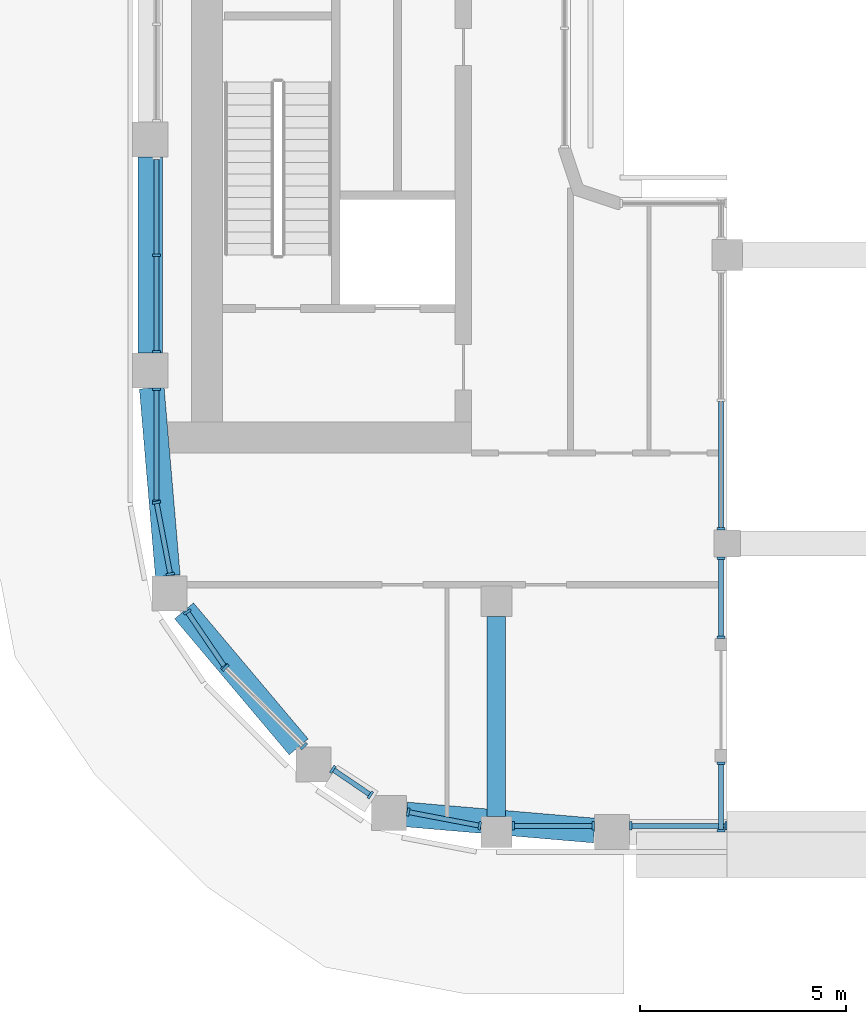
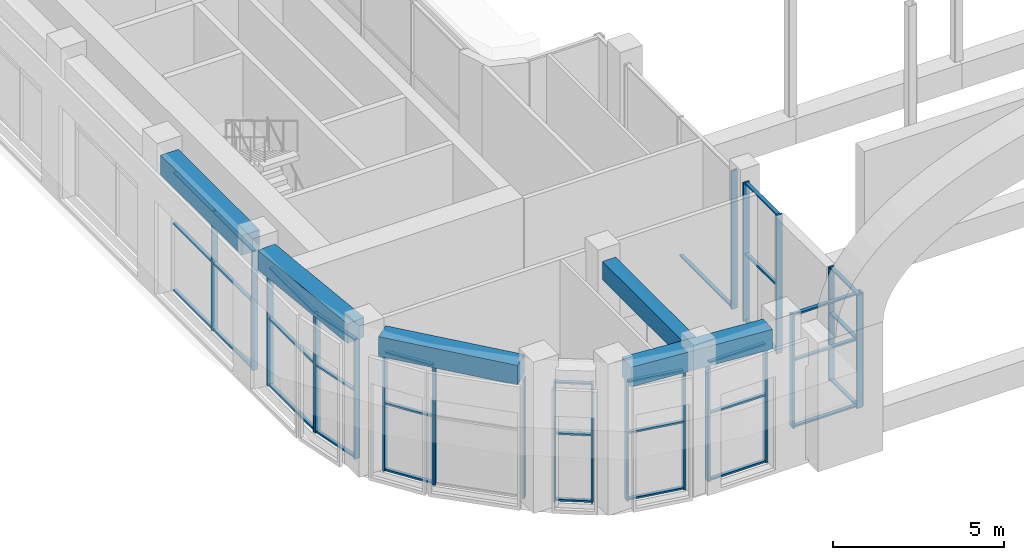
# One storey, part 2 of 26: 57 members, 5 beams, 12 elements without a shape of their own.
"""IFC4 building model written with IfcOpenShell, lengths in metres."""

from ifc_helpers import new_model, si_unit, direction, frame, origin, origin_2d, place, context, subcontext, project, spatial, rectangle, extrude, material, layer, layer_set, material_profile, profile_set, type_object, element, aggregate, save


model = new_model("IFC4")

# Units and contexts
model_context = context("Model", 3, precision=1e-05, world=origin(), true_north=direction((0.0, 1.0)))
body_context = subcontext(model_context, "Body", "Model", "MODEL_VIEW")
ifc_project = project(units=[si_unit("LENGTHUNIT", "METRE"), si_unit("AREAUNIT", "SQUARE_METRE"), si_unit("VOLUMEUNIT", "CUBIC_METRE"), si_unit("PLANEANGLEUNIT", "RADIAN"), si_unit("MASSUNIT", "GRAM", prefix="KILO")], contexts=[model_context])

# Site, building, storey
site_placement = place(None, origin())
site = spatial("IfcSite", under=ifc_project, at=site_placement, CompositionType="ELEMENT")
building_placement = place(site_placement, origin())
building = spatial("IfcBuilding", under=site, at=building_placement, Name="Kiln Ring Residences", CompositionType="ELEMENT")
storey_placement = place(building_placement, frame((0.0, 0.0, 230.89990234375)))
storey = spatial("IfcBuildingStorey", under=building, at=storey_placement, Name="L60", CompositionType="ELEMENT", Elevation=230.89990234375)

# Curtain wall, members
ifc_material_1 = material(Name="Aluminium and glass", Category="aluminium")
ifc_layer = layer(ifc_material_1, 0.199951171875)
ifc_layer_set = layer_set([ifc_layer], Name="CW1 CURTAIN WALL")
curtain_wall_type = type_object("IfcCurtainWallType", Name="CW1 CURTAIN WALL", PredefinedType="NOTDEFINED", material=ifc_layer_set)
placement = place(storey_placement, origin())
curtain_wall_1 = element("IfcCurtainWall", 1, at=placement, inside=storey, type_object=curtain_wall_type, Name="Curtain wall CW1 L60", PredefinedType="NOTDEFINED")
ifc_material_2 = material(Name="Aluminium 6063-T6", Category="aluminium")
ifc_material_profile_1 = material_profile(ifc_material_2, rectangle(XDim=0.199951171875, YDim=0.06005859375, at=origin_2d()), Name="AL 200x60")
ifc_profile_set_1 = profile_set([ifc_material_profile_1], Name="Aluminium 6063-T6")
member_type_1 = type_object("IfcMemberType", Name="CW1 MULLION 200 x 60", PredefinedType="MULLION", material=ifc_profile_set_1)
member_1_placement = place(storey_placement, frame((-25.047119140625, -14.4013671875, 0.0), z_axis=(0.0, 0.0, 1.0), x_axis=(0.982290257829, 0.187365550124, 0.0)))
member_1 = element("IfcMember", 2, at=member_1_placement, type_object=member_type_1, Name="CW1 mullion 1", PredefinedType="MULLION", context=body_context, shape_type="SweptSolid", body=[
    extrude(rectangle(XDim=0.199951171875, YDim=0.06005859375, at=origin_2d()), origin(), (0.0, 0.0, 1.0), 4.25),
])
member_2_placement = place(storey_placement, frame((-24.715087890625, -16.14111328125, 0.0), z_axis=(0.0, 0.0, 1.0), x_axis=(0.982290257829, 0.187365550124, 0.0)))
member_2 = element("IfcMember", 3, at=member_2_placement, type_object=member_type_1, Name="CW1 mullion 2", PredefinedType="MULLION", context=body_context, shape_type="SweptSolid", body=[
    extrude(rectangle(XDim=0.199951171875, YDim=0.06005859375, at=origin_2d()), origin(), (0.0, 0.0, 1.0), 4.25),
])

curtain_wall_2 = element("IfcCurtainWall", 4, at=placement, inside=storey, type_object=curtain_wall_type, Name="Curtain wall CW1 L60", PredefinedType="NOTDEFINED")
member_3_placement = place(storey_placement, frame((-24.29931640625, -17.05859375, 0.0), z_axis=(0.0, 0.0, 1.0), x_axis=(0.827071553674, 0.562096651033, 0.0)))
member_3 = element("IfcMember", 5, at=member_3_placement, type_object=member_type_1, Name="CW1 mullion 1", PredefinedType="MULLION", context=body_context, shape_type="SweptSolid", body=[
    extrude(rectangle(XDim=0.199951171875, YDim=0.06005859375, at=origin_2d()), origin(), (0.0, 0.0, 1.0), 4.25),
])
member_4_placement = place(storey_placement, frame((-23.395751953125, -18.387939453125, 0.0), z_axis=(0.0, 0.0, 1.0), x_axis=(0.827071553674, 0.562096651033, 0.0)))
member_4 = element("IfcMember", 6, at=member_4_placement, type_object=member_type_1, Name="CW1 mullion 2", PredefinedType="MULLION", context=body_context, shape_type="SweptSolid", body=[
    extrude(rectangle(XDim=0.199951171875, YDim=0.06005859375, at=origin_2d()), origin(), (0.0, 0.0, 1.0), 4.25),
])

curtain_wall_3 = element("IfcCurtainWall", 7, at=placement, inside=storey, type_object=curtain_wall_type, Name="Curtain wall CW1 L60", PredefinedType="NOTDEFINED")
member_5_placement = place(storey_placement, frame((-23.375732421875, -18.412109375, 0.0), z_axis=(0.0, 0.0, 1.0), x_axis=(0.707106781187, 0.707106781187, 0.0)))
member_5 = element("IfcMember", 8, at=member_5_placement, type_object=member_type_1, Name="CW1 mullion 1", PredefinedType="MULLION", context=body_context, shape_type="SweptSolid", body=[
    extrude(rectangle(XDim=0.199951171875, YDim=0.06005859375, at=origin_2d()), origin(), (0.0, 0.0, 1.0), 4.25),
])
member_6_placement = place(storey_placement, frame((-21.474365234375, -20.3134765625, 0.0), z_axis=(0.0, 0.0, 1.0), x_axis=(0.707106781187, 0.707106781187, 0.0)))
member_6 = element("IfcMember", 9, at=member_6_placement, type_object=member_type_1, Name="CW1 mullion 2", PredefinedType="MULLION", context=body_context, shape_type="SweptSolid", body=[
    extrude(rectangle(XDim=0.199951171875, YDim=0.06005859375, at=origin_2d()), origin(), (0.0, 0.0, 1.0), 4.25),
])
aggregate(curtain_wall_3, [member_5, member_6])

curtain_wall_4 = element("IfcCurtainWall", 10, at=placement, inside=storey, type_object=curtain_wall_type, Name="Curtain wall CW1 L60", PredefinedType="NOTDEFINED")
member_7_placement = place(storey_placement, frame((-20.77099609375, -20.879150390625, 0.0), z_axis=(0.0, 0.0, 1.0), x_axis=(0.562096650745, 0.82707155387, 0.0)))
member_7 = element("IfcMember", 11, at=member_7_placement, type_object=member_type_1, Name="CW1 mullion 1", PredefinedType="MULLION", context=body_context, shape_type="SweptSolid", body=[
    extrude(rectangle(XDim=0.199951171875, YDim=0.06005859375, at=origin_2d()), origin(), (0.0, 0.0, 1.0), 4.25),
])
member_8_placement = place(storey_placement, frame((-19.8583984375, -21.499267578125, 0.0), z_axis=(0.0, 0.0, 1.0), x_axis=(0.562096650745, 0.82707155387, 0.0)))
member_8 = element("IfcMember", 12, at=member_8_placement, type_object=member_type_1, Name="CW1 mullion 2", PredefinedType="MULLION", context=body_context, shape_type="SweptSolid", body=[
    extrude(rectangle(XDim=0.199951171875, YDim=0.06005859375, at=origin_2d()), origin(), (0.0, 0.0, 1.0), 4.25),
])

curtain_wall_5 = element("IfcCurtainWall", 13, at=placement, inside=storey, type_object=curtain_wall_type, Name="Curtain wall CW1 L60", PredefinedType="NOTDEFINED")
member_9_placement = place(storey_placement, frame((-18.941162109375, -21.915283203125, 0.0), z_axis=(0.0, 0.0, 1.0), x_axis=(0.18736555009, 0.982290257836, 0.0)))
member_9 = element("IfcMember", 14, at=member_9_placement, type_object=member_type_1, Name="CW1 mullion 1", PredefinedType="MULLION", context=body_context, shape_type="SweptSolid", body=[
    extrude(rectangle(XDim=0.199951171875, YDim=0.06005859375, at=origin_2d()), origin(), (0.0, 0.0, 1.0), 4.25),
])
member_10_placement = place(storey_placement, frame((-17.20458984375, -22.246337890625, 0.0), z_axis=(0.0, 0.0, 1.0), x_axis=(0.18736555009, 0.982290257836, 0.0)))
member_10 = element("IfcMember", 15, at=member_10_placement, type_object=member_type_1, Name="CW1 mullion 2", PredefinedType="MULLION", context=body_context, shape_type="SweptSolid", body=[
    extrude(rectangle(XDim=0.199951171875, YDim=0.06005859375, at=origin_2d()), origin(), (0.0, 0.0, 1.0), 4.25),
])

curtain_wall_6 = element("IfcCurtainWall", 16, at=placement, inside=storey, type_object=curtain_wall_type, Name="Curtain wall CW1 L60", PredefinedType="NOTDEFINED")
member_11_placement = place(storey_placement, frame((-16.39501953125, -22.25, 0.0), z_axis=(0.0, 0.0, 1.0), x_axis=(0.0, 1.0, 0.0)))
member_11 = element("IfcMember", 17, at=member_11_placement, type_object=member_type_1, Name="CW1 mullion 1", PredefinedType="MULLION", context=body_context, shape_type="SweptSolid", body=[
    extrude(rectangle(XDim=0.199951171875, YDim=0.06005859375, at=origin_2d()), origin(), (0.0, 0.0, 1.0), 4.25),
])
member_12_placement = place(storey_placement, frame((-14.455078125, -22.25, 0.0), z_axis=(0.0, 0.0, 1.0), x_axis=(0.0, 1.0, 0.0)))
member_12 = element("IfcMember", 18, at=member_12_placement, type_object=member_type_1, Name="CW1 mullion 2", PredefinedType="MULLION", context=body_context, shape_type="SweptSolid", body=[
    extrude(rectangle(XDim=0.199951171875, YDim=0.06005859375, at=origin_2d()), origin(), (0.0, 0.0, 1.0), 4.25),
])

curtain_wall_7 = element("IfcCurtainWall", 19, at=placement, inside=storey, type_object=curtain_wall_type, Name="Curtain wall CW1 L60", PredefinedType="NOTDEFINED")
member_13_placement = place(storey_placement, frame((-13.544921875, -22.25, 0.900146484375), z_axis=(0.0, 0.0, 1.0), x_axis=(0.0, 1.0, 0.0)))
member_13 = element("IfcMember", 20, at=member_13_placement, type_object=member_type_1, Name="CW1 mullion 1", PredefinedType="MULLION", context=body_context, shape_type="SweptSolid", body=[
    extrude(rectangle(XDim=0.199951171875, YDim=0.06005859375, at=origin_2d()), origin(), (0.0, 0.0, 1.0), 4.050048828125),
])
member_14_placement = place(storey_placement, frame((-11.22998046875, -22.25, 0.900146484375), z_axis=(0.0, 0.0, 1.0), x_axis=(0.0, 1.0, 0.0)))
member_14 = element("IfcMember", 21, at=member_14_placement, type_object=member_type_1, Name="CW1 mullion 2", PredefinedType="MULLION", context=body_context, shape_type="SweptSolid", body=[
    extrude(rectangle(XDim=0.199951171875, YDim=0.06005859375, at=origin_2d()), origin(), (0.0, 0.0, 1.0), 4.050048828125),
])

curtain_wall_8 = element("IfcCurtainWall", 22, at=placement, inside=storey, type_object=curtain_wall_type, Name="Curtain wall CW1 L60", PredefinedType="NOTDEFINED")
member_15_placement = place(storey_placement, frame((-11.35009765625, -22.3701171875, 0.900146484375), z_axis=(0.0, 0.0, 1.0), x_axis=(-1.0, 0.0, 0.0)))
member_15 = element("IfcMember", 23, at=member_15_placement, type_object=member_type_1, Name="CW1 mullion 1", PredefinedType="MULLION", context=body_context, shape_type="SweptSolid", body=[
    extrude(rectangle(XDim=0.199951171875, YDim=0.06005859375, at=origin_2d()), origin(), (0.0, 0.0, 1.0), 4.050048828125),
])
member_16_placement = place(storey_placement, frame((-11.35009765625, -20.72998046875, 0.900146484375), z_axis=(0.0, 0.0, 1.0), x_axis=(-1.0, 0.0, 0.0)))
member_16 = element("IfcMember", 24, at=member_16_placement, type_object=member_type_1, Name="CW1 mullion 2", PredefinedType="MULLION", context=body_context, shape_type="SweptSolid", body=[
    extrude(rectangle(XDim=0.199951171875, YDim=0.06005859375, at=origin_2d()), origin(), (0.0, 0.0, 1.0), 4.050048828125),
])

curtain_wall_9 = element("IfcCurtainWall", 25, at=placement, inside=storey, type_object=curtain_wall_type, Name="Curtain wall CW1 L60", PredefinedType="NOTDEFINED")
member_17_placement = place(storey_placement, frame((-11.35009765625, -17.669921875, 0.0), z_axis=(0.0, 0.0, 1.0), x_axis=(-1.0, 0.0, 0.0)))
member_17 = element("IfcMember", 26, at=member_17_placement, type_object=member_type_1, Name="CW1 mullion 1", PredefinedType="MULLION", context=body_context, shape_type="SweptSolid", body=[
    extrude(rectangle(XDim=0.199951171875, YDim=0.06005859375, at=origin_2d()), origin(), (0.0, 0.0, 1.0), 4.9501953125),
])
member_18_placement = place(storey_placement, frame((-11.35009765625, -15.7548828125, 0.0), z_axis=(0.0, 0.0, 1.0), x_axis=(-1.0, 0.0, 0.0)))
member_18 = element("IfcMember", 27, at=member_18_placement, type_object=member_type_1, Name="CW1 mullion 2", PredefinedType="MULLION", context=body_context, shape_type="SweptSolid", body=[
    extrude(rectangle(XDim=0.199951171875, YDim=0.06005859375, at=origin_2d()), origin(), (0.0, 0.0, 1.0), 4.9501953125),
])

# Curtain wall, member
curtain_wall_10 = element("IfcCurtainWall", 28, at=placement, inside=storey, type_object=curtain_wall_type, Name="Curtain wall CW1 L60", PredefinedType="NOTDEFINED")
member_19_placement = place(storey_placement, frame((-11.35009765625, -15.044921875, 0.0), z_axis=(0.0, 0.0, 1.0), x_axis=(-1.0, 0.0, 0.0)))
member_19 = element("IfcMember", 29, at=member_19_placement, type_object=member_type_1, Name="CW1 mullion 1", PredefinedType="MULLION", context=body_context, shape_type="SweptSolid", body=[
    extrude(rectangle(XDim=0.199951171875, YDim=0.06005859375, at=origin_2d()), origin(), (0.0, 0.0, 1.0), 4.9501953125),
])

# Curtain wall, members
curtain_wall_11 = element("IfcCurtainWall", 30, at=placement, inside=storey, type_object=curtain_wall_type, Name="Curtain wall CW1 L60", PredefinedType="NOTDEFINED")
member_20_placement = place(storey_placement, frame((-25.050048828125, -8.39990234375, 0.0), z_axis=(0.0, 0.0, 1.0), x_axis=(1.0, 0.0, 0.0)))
member_20 = element("IfcMember", 31, at=member_20_placement, type_object=member_type_1, Name="CW1 mullion 2", PredefinedType="MULLION", context=body_context, shape_type="SweptSolid", body=[
    extrude(rectangle(XDim=0.199951171875, YDim=0.06005859375, at=origin_2d()), origin(), (0.0, 0.0, 1.0), 4.25),
])
member_21_placement = place(storey_placement, frame((-25.050048828125, -10.7451171875, 0.0), z_axis=(0.0, 0.0, 1.0), x_axis=(1.0, 0.0, 0.0)))
member_21 = element("IfcMember", 32, at=member_21_placement, type_object=member_type_1, Name="CW1 mullion 3", PredefinedType="MULLION", context=body_context, shape_type="SweptSolid", body=[
    extrude(rectangle(XDim=0.199951171875, YDim=0.06005859375, at=origin_2d()), origin(), (0.0, 0.0, 1.0), 4.25),
])

curtain_wall_12 = element("IfcCurtainWall", 33, at=placement, inside=storey, type_object=curtain_wall_type, Name="Curtain wall CW1 L60", PredefinedType="NOTDEFINED")
member_22_placement = place(storey_placement, frame((-25.050048828125, -11.655029296875, 0.0), z_axis=(0.0, 0.0, 1.0), x_axis=(1.0, 0.0, 0.0)))
member_22 = element("IfcMember", 34, at=member_22_placement, type_object=member_type_1, Name="CW1 mullion 1", PredefinedType="MULLION", context=body_context, shape_type="SweptSolid", body=[
    extrude(rectangle(XDim=0.199951171875, YDim=0.06005859375, at=origin_2d()), origin(), (0.0, 0.0, 1.0), 4.25),
])
member_23_placement = place(storey_placement, frame((-25.050048828125, -14.3701171875, 0.0), z_axis=(0.0, 0.0, 1.0), x_axis=(1.0, 0.0, 0.0)))
member_23 = element("IfcMember", 35, at=member_23_placement, type_object=member_type_1, Name="CW1 mullion 2", PredefinedType="MULLION", context=body_context, shape_type="SweptSolid", body=[
    extrude(rectangle(XDim=0.199951171875, YDim=0.06005859375, at=origin_2d()), origin(), (0.0, 0.0, 1.0), 4.25),
])

# Member
ifc_material_3 = material(Name="Aluminium 6063-T6", Category="aluminium")
ifc_material_profile_2 = material_profile(ifc_material_3, rectangle(XDim=0.1201171875, YDim=0.06005859375, at=origin_2d()), Name="AL 120x60")
ifc_profile_set_2 = profile_set([ifc_material_profile_2], Name="Aluminium 6063-T6")
member_type_2 = type_object("IfcMemberType", Name="CW1 TRANSOM 120 x 60", PredefinedType="USERDEFINED", material=ifc_profile_set_2)
member_24_placement = place(storey_placement, frame((-25.04150390625, -14.430908203125, 0.030029296875), z_axis=(0.187492387772, -0.982266055877, 0.0), x_axis=(0.982266055877, 0.187492387772, 0.0)))
member_24 = element("IfcMember", 36, at=member_24_placement, type_object=member_type_2, Name="CW1 transom 1.1", ObjectType="TRANSOM", PredefinedType="USERDEFINED", context=body_context, shape_type="SweptSolid", body=[
    extrude(rectangle(XDim=0.1201171875, YDim=0.06005859375, at=origin_2d()), origin(), (0.0, 0.0, 1.0), 1.7109375),
])

member_25_placement = place(storey_placement, frame((-25.04150390625, -14.430908203125, 2.400146484375), z_axis=(0.187492387772, -0.982266055877, 0.0), x_axis=(0.982266055877, 0.187492387772, 0.0)))
member_25 = element("IfcMember", 37, at=member_25_placement, type_object=member_type_2, Name="CW1 transom 1.2", ObjectType="TRANSOM", PredefinedType="USERDEFINED", context=body_context, shape_type="SweptSolid", body=[
    extrude(rectangle(XDim=0.1201171875, YDim=0.06005859375, at=origin_2d()), origin(), (0.0, 0.0, 1.0), 1.7109375),
])

member_26_placement = place(storey_placement, frame((-25.04150390625, -14.430908203125, 4.22021484375), z_axis=(0.187492387772, -0.982266055877, 0.0), x_axis=(0.982266055877, 0.187492387772, 0.0)))
member_26 = element("IfcMember", 38, at=member_26_placement, type_object=member_type_2, Name="CW1 transom 1.3", ObjectType="TRANSOM", PredefinedType="USERDEFINED", context=body_context, shape_type="SweptSolid", body=[
    extrude(rectangle(XDim=0.1201171875, YDim=0.06005859375, at=origin_2d()), origin(), (0.0, 0.0, 1.0), 1.7109375),
])

aggregate(curtain_wall_1, [member_1, member_2, member_24, member_25, member_26])

member_27_placement = place(storey_placement, frame((-24.282470703125, -17.083251953125, 0.030029296875), z_axis=(0.562141708098, -0.827040930073, 0.0), x_axis=(0.827040930073, 0.562141708098, 0.0)))
member_27 = element("IfcMember", 39, at=member_27_placement, type_object=member_type_2, Name="CW1 transom 1.1", ObjectType="TRANSOM", PredefinedType="USERDEFINED", context=body_context, shape_type="SweptSolid", body=[
    extrude(rectangle(XDim=0.1201171875, YDim=0.06005859375, at=origin_2d()), origin(), (0.0, 0.0, 1.0), 1.54736328125),
])

member_28_placement = place(storey_placement, frame((-24.282470703125, -17.083251953125, 2.400146484375), z_axis=(0.562141708098, -0.827040930073, 0.0), x_axis=(0.827040930073, 0.562141708098, 0.0)))
member_28 = element("IfcMember", 40, at=member_28_placement, type_object=member_type_2, Name="CW1 transom 1.2", ObjectType="TRANSOM", PredefinedType="USERDEFINED", context=body_context, shape_type="SweptSolid", body=[
    extrude(rectangle(XDim=0.1201171875, YDim=0.06005859375, at=origin_2d()), origin(), (0.0, 0.0, 1.0), 1.54736328125),
])

member_29_placement = place(storey_placement, frame((-24.282470703125, -17.083251953125, 4.22021484375), z_axis=(0.562141708098, -0.827040930073, 0.0), x_axis=(0.827040930073, 0.562141708098, 0.0)))
member_29 = element("IfcMember", 41, at=member_29_placement, type_object=member_type_2, Name="CW1 transom 1.3", ObjectType="TRANSOM", PredefinedType="USERDEFINED", context=body_context, shape_type="SweptSolid", body=[
    extrude(rectangle(XDim=0.1201171875, YDim=0.06005859375, at=origin_2d()), origin(), (0.0, 0.0, 1.0), 1.54736328125),
])

aggregate(curtain_wall_2, [member_3, member_4, member_27, member_28, member_29])

member_30_placement = place(storey_placement, frame((-20.746337890625, -20.89599609375, 0.030029296875), z_axis=(0.827122289279, -0.562021991187, 0.0), x_axis=(0.562021991187, 0.827122289279, 0.0)))
member_30 = element("IfcMember", 42, at=member_30_placement, type_object=member_type_2, Name="CW1 transom 1.1", ObjectType="TRANSOM", PredefinedType="USERDEFINED", context=body_context, shape_type="SweptSolid", body=[
    extrude(rectangle(XDim=0.1201171875, YDim=0.06005859375, at=origin_2d()), origin(), (0.0, 0.0, 1.0), 1.04345703125),
])

member_31_placement = place(storey_placement, frame((-20.746337890625, -20.89599609375, 2.400146484375), z_axis=(0.827122289279, -0.562021991187, 0.0), x_axis=(0.562021991187, 0.827122289279, 0.0)))
member_31 = element("IfcMember", 43, at=member_31_placement, type_object=member_type_2, Name="CW1 transom 1.2", ObjectType="TRANSOM", PredefinedType="USERDEFINED", context=body_context, shape_type="SweptSolid", body=[
    extrude(rectangle(XDim=0.1201171875, YDim=0.06005859375, at=origin_2d()), origin(), (0.0, 0.0, 1.0), 1.04345703125),
])

member_32_placement = place(storey_placement, frame((-20.746337890625, -20.89599609375, 4.22021484375), z_axis=(0.827122289279, -0.562021991187, 0.0), x_axis=(0.562021991187, 0.827122289279, 0.0)))
member_32 = element("IfcMember", 44, at=member_32_placement, type_object=member_type_2, Name="CW1 transom 1.3", ObjectType="TRANSOM", PredefinedType="USERDEFINED", context=body_context, shape_type="SweptSolid", body=[
    extrude(rectangle(XDim=0.1201171875, YDim=0.06005859375, at=origin_2d()), origin(), (0.0, 0.0, 1.0), 1.04345703125),
])

aggregate(curtain_wall_4, [member_7, member_8, member_30, member_31, member_32])

member_33_placement = place(storey_placement, frame((-18.91162109375, -21.9208984375, 0.030029296875), z_axis=(0.982311030476, -0.187256613784, 0.0), x_axis=(0.187256613784, 0.982311030476, 0.0)))
member_33 = element("IfcMember", 45, at=member_33_placement, type_object=member_type_2, Name="CW1 transom 1.1", ObjectType="TRANSOM", PredefinedType="USERDEFINED", context=body_context, shape_type="SweptSolid", body=[
    extrude(rectangle(XDim=0.1201171875, YDim=0.06005859375, at=origin_2d()), origin(), (0.0, 0.0, 1.0), 1.7080078125),
])

member_34_placement = place(storey_placement, frame((-18.91162109375, -21.9208984375, 2.400146484375), z_axis=(0.982311030476, -0.187256613784, 0.0), x_axis=(0.187256613784, 0.982311030476, 0.0)))
member_34 = element("IfcMember", 46, at=member_34_placement, type_object=member_type_2, Name="CW1 transom 1.2", ObjectType="TRANSOM", PredefinedType="USERDEFINED", context=body_context, shape_type="SweptSolid", body=[
    extrude(rectangle(XDim=0.1201171875, YDim=0.06005859375, at=origin_2d()), origin(), (0.0, 0.0, 1.0), 1.7080078125),
])

member_35_placement = place(storey_placement, frame((-18.91162109375, -21.9208984375, 4.22021484375), z_axis=(0.982311030476, -0.187256613784, 0.0), x_axis=(0.187256613784, 0.982311030476, 0.0)))
member_35 = element("IfcMember", 47, at=member_35_placement, type_object=member_type_2, Name="CW1 transom 1.3", ObjectType="TRANSOM", PredefinedType="USERDEFINED", context=body_context, shape_type="SweptSolid", body=[
    extrude(rectangle(XDim=0.1201171875, YDim=0.06005859375, at=origin_2d()), origin(), (0.0, 0.0, 1.0), 1.7080078125),
])

aggregate(curtain_wall_5, [member_9, member_10, member_33, member_34, member_35])

member_36_placement = place(storey_placement, frame((-16.364990234375, -22.25, 0.030029296875), z_axis=(1.0, 0.0, 0.0), x_axis=(0.0, 1.0, 0.0)))
member_36 = element("IfcMember", 48, at=member_36_placement, type_object=member_type_2, Name="CW1 transom 1.1", ObjectType="TRANSOM", PredefinedType="USERDEFINED", context=body_context, shape_type="SweptSolid", body=[
    extrude(rectangle(XDim=0.1201171875, YDim=0.06005859375, at=origin_2d()), origin(), (0.0, 0.0, 1.0), 1.8798828125),
])

member_37_placement = place(storey_placement, frame((-16.364990234375, -22.25, 2.400146484375), z_axis=(1.0, 0.0, 0.0), x_axis=(0.0, 1.0, 0.0)))
member_37 = element("IfcMember", 49, at=member_37_placement, type_object=member_type_2, Name="CW1 transom 1.2", ObjectType="TRANSOM", PredefinedType="USERDEFINED", context=body_context, shape_type="SweptSolid", body=[
    extrude(rectangle(XDim=0.1201171875, YDim=0.06005859375, at=origin_2d()), origin(), (0.0, 0.0, 1.0), 1.8798828125),
])

member_38_placement = place(storey_placement, frame((-16.364990234375, -22.25, 4.22021484375), z_axis=(1.0, 0.0, 0.0), x_axis=(0.0, 1.0, 0.0)))
member_38 = element("IfcMember", 50, at=member_38_placement, type_object=member_type_2, Name="CW1 transom 1.3", ObjectType="TRANSOM", PredefinedType="USERDEFINED", context=body_context, shape_type="SweptSolid", body=[
    extrude(rectangle(XDim=0.1201171875, YDim=0.06005859375, at=origin_2d()), origin(), (0.0, 0.0, 1.0), 1.8798828125),
])

aggregate(curtain_wall_6, [member_11, member_12, member_36, member_37, member_38])

member_39_placement = place(storey_placement, frame((-13.514892578125, -22.25, 0.93017578125), z_axis=(1.0, 0.0, 0.0), x_axis=(0.0, 1.0, 0.0)))
member_39 = element("IfcMember", 51, at=member_39_placement, type_object=member_type_2, Name="CW1 transom 1.1", ObjectType="TRANSOM", PredefinedType="USERDEFINED", context=body_context, shape_type="SweptSolid", body=[
    extrude(rectangle(XDim=0.1201171875, YDim=0.06005859375, at=origin_2d()), origin(), (0.0, 0.0, 1.0), 2.2548828125),
])

member_40_placement = place(storey_placement, frame((-13.514892578125, -22.25, 3.300048828125), z_axis=(1.0, 0.0, 0.0), x_axis=(0.0, 1.0, 0.0)))
member_40 = element("IfcMember", 52, at=member_40_placement, type_object=member_type_2, Name="CW1 transom 1.2", ObjectType="TRANSOM", PredefinedType="USERDEFINED", context=body_context, shape_type="SweptSolid", body=[
    extrude(rectangle(XDim=0.1201171875, YDim=0.06005859375, at=origin_2d()), origin(), (0.0, 0.0, 1.0), 2.2548828125),
])

member_41_placement = place(storey_placement, frame((-13.514892578125, -22.25, 4.920166015625), z_axis=(1.0, 0.0, 0.0), x_axis=(0.0, 1.0, 0.0)))
member_41 = element("IfcMember", 53, at=member_41_placement, type_object=member_type_2, Name="CW1 transom 1.3", ObjectType="TRANSOM", PredefinedType="USERDEFINED", context=body_context, shape_type="SweptSolid", body=[
    extrude(rectangle(XDim=0.1201171875, YDim=0.06005859375, at=origin_2d()), origin(), (0.0, 0.0, 1.0), 2.2548828125),
])

aggregate(curtain_wall_7, [member_13, member_14, member_39, member_40, member_41])

member_42_placement = place(storey_placement, frame((-11.35009765625, -22.340087890625, 0.93017578125), z_axis=(0.0, 1.0, 0.0), x_axis=(-1.0, 0.0, 0.0)))
member_42 = element("IfcMember", 54, at=member_42_placement, type_object=member_type_2, Name="CW1 transom 1.1", ObjectType="TRANSOM", PredefinedType="USERDEFINED", context=body_context, shape_type="SweptSolid", body=[
    extrude(rectangle(XDim=0.1201171875, YDim=0.06005859375, at=origin_2d()), origin(), (0.0, 0.0, 1.0), 1.580078125),
])

member_43_placement = place(storey_placement, frame((-11.35009765625, -22.340087890625, 3.300048828125), z_axis=(0.0, 1.0, 0.0), x_axis=(-1.0, 0.0, 0.0)))
member_43 = element("IfcMember", 55, at=member_43_placement, type_object=member_type_2, Name="CW1 transom 1.2", ObjectType="TRANSOM", PredefinedType="USERDEFINED", context=body_context, shape_type="SweptSolid", body=[
    extrude(rectangle(XDim=0.1201171875, YDim=0.06005859375, at=origin_2d()), origin(), (0.0, 0.0, 1.0), 1.580078125),
])

member_44_placement = place(storey_placement, frame((-11.35009765625, -22.340087890625, 4.920166015625), z_axis=(0.0, 1.0, 0.0), x_axis=(-1.0, 0.0, 0.0)))
member_44 = element("IfcMember", 56, at=member_44_placement, type_object=member_type_2, Name="CW1 transom 1.3", ObjectType="TRANSOM", PredefinedType="USERDEFINED", context=body_context, shape_type="SweptSolid", body=[
    extrude(rectangle(XDim=0.1201171875, YDim=0.06005859375, at=origin_2d()), origin(), (0.0, 0.0, 1.0), 1.580078125),
])

aggregate(curtain_wall_8, [member_15, member_16, member_42, member_43, member_44])

member_45_placement = place(storey_placement, frame((-11.35009765625, -17.639892578125, 0.030029296875), z_axis=(0.0, 1.0, 0.0), x_axis=(-1.0, 0.0, 0.0)))
member_45 = element("IfcMember", 57, at=member_45_placement, type_object=member_type_2, Name="CW1 transom 1.1", ObjectType="TRANSOM", PredefinedType="USERDEFINED", context=body_context, shape_type="SweptSolid", body=[
    extrude(rectangle(XDim=0.1201171875, YDim=0.06005859375, at=origin_2d()), origin(), (0.0, 0.0, 1.0), 1.85498046875),
])

member_46_placement = place(storey_placement, frame((-11.35009765625, -17.639892578125, 2.400146484375), z_axis=(0.0, 1.0, 0.0), x_axis=(-1.0, 0.0, 0.0)))
member_46 = element("IfcMember", 58, at=member_46_placement, type_object=member_type_2, Name="CW1 transom 1.2", ObjectType="TRANSOM", PredefinedType="USERDEFINED", context=body_context, shape_type="SweptSolid", body=[
    extrude(rectangle(XDim=0.1201171875, YDim=0.06005859375, at=origin_2d()), origin(), (0.0, 0.0, 1.0), 1.85498046875),
])

member_47_placement = place(storey_placement, frame((-11.35009765625, -17.639892578125, 4.920166015625), z_axis=(0.0, 1.0, 0.0), x_axis=(-1.0, 0.0, 0.0)))
member_47 = element("IfcMember", 59, at=member_47_placement, type_object=member_type_2, Name="CW1 transom 1.3", ObjectType="TRANSOM", PredefinedType="USERDEFINED", context=body_context, shape_type="SweptSolid", body=[
    extrude(rectangle(XDim=0.1201171875, YDim=0.06005859375, at=origin_2d()), origin(), (0.0, 0.0, 1.0), 1.85498046875),
])

aggregate(curtain_wall_9, [member_17, member_18, member_45, member_46, member_47])

member_48_placement = place(storey_placement, frame((-11.35009765625, -15.014892578125, 0.030029296875), z_axis=(0.0, 1.0, 0.0), x_axis=(-1.0, 0.0, 0.0)))
member_48 = element("IfcMember", 60, at=member_48_placement, type_object=member_type_2, Name="CW1 transom 1.1", ObjectType="TRANSOM", PredefinedType="USERDEFINED", context=body_context, shape_type="SweptSolid", body=[
    extrude(rectangle(XDim=0.1201171875, YDim=0.06005859375, at=origin_2d()), origin(), (0.0, 0.0, 1.0), 3.059814453125),
])

aggregate(curtain_wall_10, [member_19, member_48])

member_49_placement = place(storey_placement, frame((-25.050048828125, -6.0849609375, 0.030029296875), z_axis=(0.0, -1.0, 0.0), x_axis=(1.0, 0.0, 0.0)))
member_49 = element("IfcMember", 61, at=member_49_placement, type_object=member_type_2, Name="CW1 transom 1.1", ObjectType="TRANSOM", PredefinedType="USERDEFINED", context=body_context, shape_type="SweptSolid", body=[
    extrude(rectangle(XDim=0.1201171875, YDim=0.06005859375, at=origin_2d()), origin(), (0.0, 0.0, 1.0), 2.28515625),
])

member_50_placement = place(storey_placement, frame((-25.050048828125, -6.0849609375, 2.400146484375), z_axis=(0.0, -1.0, 0.0), x_axis=(1.0, 0.0, 0.0)))
member_50 = element("IfcMember", 62, at=member_50_placement, type_object=member_type_2, Name="CW1 transom 1.2", ObjectType="TRANSOM", PredefinedType="USERDEFINED", context=body_context, shape_type="SweptSolid", body=[
    extrude(rectangle(XDim=0.1201171875, YDim=0.06005859375, at=origin_2d()), origin(), (0.0, 0.0, 1.0), 2.28515625),
])

member_51_placement = place(storey_placement, frame((-25.050048828125, -6.0849609375, 4.22021484375), z_axis=(0.0, -1.0, 0.0), x_axis=(1.0, 0.0, 0.0)))
member_51 = element("IfcMember", 63, at=member_51_placement, type_object=member_type_2, Name="CW1 transom 1.3", ObjectType="TRANSOM", PredefinedType="USERDEFINED", context=body_context, shape_type="SweptSolid", body=[
    extrude(rectangle(XDim=0.1201171875, YDim=0.06005859375, at=origin_2d()), origin(), (0.0, 0.0, 1.0), 2.28515625),
])

member_52_placement = place(storey_placement, frame((-25.050048828125, -8.429931640625, 0.030029296875), z_axis=(0.0, -1.0, 0.0), x_axis=(1.0, 0.0, 0.0)))
member_52 = element("IfcMember", 64, at=member_52_placement, type_object=member_type_2, Name="CW1 transom 2.1", ObjectType="TRANSOM", PredefinedType="USERDEFINED", context=body_context, shape_type="SweptSolid", body=[
    extrude(rectangle(XDim=0.1201171875, YDim=0.06005859375, at=origin_2d()), origin(), (0.0, 0.0, 1.0), 2.28515625),
])

member_53_placement = place(storey_placement, frame((-25.050048828125, -8.429931640625, 2.400146484375), z_axis=(0.0, -1.0, 0.0), x_axis=(1.0, 0.0, 0.0)))
member_53 = element("IfcMember", 65, at=member_53_placement, type_object=member_type_2, Name="CW1 transom 2.2", ObjectType="TRANSOM", PredefinedType="USERDEFINED", context=body_context, shape_type="SweptSolid", body=[
    extrude(rectangle(XDim=0.1201171875, YDim=0.06005859375, at=origin_2d()), origin(), (0.0, 0.0, 1.0), 2.28515625),
])

member_54_placement = place(storey_placement, frame((-25.050048828125, -8.429931640625, 4.22021484375), z_axis=(0.0, -1.0, 0.0), x_axis=(1.0, 0.0, 0.0)))
member_54 = element("IfcMember", 66, at=member_54_placement, type_object=member_type_2, Name="CW1 transom 2.3", ObjectType="TRANSOM", PredefinedType="USERDEFINED", context=body_context, shape_type="SweptSolid", body=[
    extrude(rectangle(XDim=0.1201171875, YDim=0.06005859375, at=origin_2d()), origin(), (0.0, 0.0, 1.0), 2.28515625),
])

aggregate(curtain_wall_11, [member_20, member_21, member_49, member_50, member_51, member_52, member_53, member_54])

member_55_placement = place(storey_placement, frame((-25.050048828125, -11.68505859375, 0.030029296875), z_axis=(0.0, -1.0, 0.0), x_axis=(1.0, 0.0, 0.0)))
member_55 = element("IfcMember", 67, at=member_55_placement, type_object=member_type_2, Name="CW1 transom 1.1", ObjectType="TRANSOM", PredefinedType="USERDEFINED", context=body_context, shape_type="SweptSolid", body=[
    extrude(rectangle(XDim=0.1201171875, YDim=0.06005859375, at=origin_2d()), origin(), (0.0, 0.0, 1.0), 2.655029296875),
])

member_56_placement = place(storey_placement, frame((-25.050048828125, -11.68505859375, 2.400146484375), z_axis=(0.0, -1.0, 0.0), x_axis=(1.0, 0.0, 0.0)))
member_56 = element("IfcMember", 68, at=member_56_placement, type_object=member_type_2, Name="CW1 transom 1.2", ObjectType="TRANSOM", PredefinedType="USERDEFINED", context=body_context, shape_type="SweptSolid", body=[
    extrude(rectangle(XDim=0.1201171875, YDim=0.06005859375, at=origin_2d()), origin(), (0.0, 0.0, 1.0), 2.655029296875),
])

member_57_placement = place(storey_placement, frame((-25.050048828125, -11.68505859375, 4.22021484375), z_axis=(0.0, -1.0, 0.0), x_axis=(1.0, 0.0, 0.0)))
member_57 = element("IfcMember", 69, at=member_57_placement, type_object=member_type_2, Name="CW1 transom 1.3", ObjectType="TRANSOM", PredefinedType="USERDEFINED", context=body_context, shape_type="SweptSolid", body=[
    extrude(rectangle(XDim=0.1201171875, YDim=0.06005859375, at=origin_2d()), origin(), (0.0, 0.0, 1.0), 2.655029296875),
])

aggregate(curtain_wall_12, [member_22, member_23, member_55, member_56, member_57])

# Beams
ifc_material_4 = material(Name="Concrete C50/60", Category="concrete")
ifc_material_profile_3 = material_profile(ifc_material_4, rectangle(XDim=0.449951171875, YDim=0.64990234375, at=origin_2d()), Name="RC450x650")
ifc_profile_set_3 = profile_set([ifc_material_profile_3], Name="Concrete C50/60")
beam_type_1 = type_object("IfcBeamType", Name="Ring beam RC450x650 C50/60", PredefinedType="BEAM", material=ifc_profile_set_3)
beam_1_placement = place(storey_placement, frame((-16.800048828125, -17.175048828125, 4.625), z_axis=(0.0, -1.0, 0.0), x_axis=(1.0, 0.0, 0.0)))
element("IfcBeam", 70, at=beam_1_placement, inside=storey, type_object=beam_type_1, Name="Ring beam L60 1", PredefinedType="BEAM", context=body_context, shape_type="SweptSolid", body=[
    extrude(rectangle(XDim=0.449951171875, YDim=0.64990234375, at=origin_2d()), origin(), (0.0, 0.0, 1.0), 4.849853515625),
])
ifc_material_5 = material(Name="Concrete C50/60", Category="concrete")
ifc_material_profile_4 = material_profile(ifc_material_5, rectangle(XDim=0.60009765625, YDim=0.699951171875, at=origin_2d()), Name="RC600x700")
ifc_profile_set_4 = profile_set([ifc_material_profile_4], Name="Concrete C50/60")
beam_type_2 = type_object("IfcBeamType", Name="Spandrel beam RC600x700 C50/60", PredefinedType="SPANDREL", material=ifc_profile_set_4)
beam_2_placement = place(storey_placement, frame((-18.983642578125, -21.974365234375, 4.60009765625), z_axis=(0.996371385312, -0.085112058675, 0.0), x_axis=(0.085112058675, 0.996371385312, 0.0)))
element("IfcBeam", 71, at=beam_2_placement, inside=storey, type_object=beam_type_2, Name="Spandrel beam L60 1", PredefinedType="SPANDREL", context=body_context, shape_type="SweptSolid", body=[
    extrude(rectangle(XDim=0.60009765625, YDim=0.699951171875, at=origin_2d()), origin(), (0.0, 0.0, 1.0), 4.5751953125),
])
beam_3_placement = place(storey_placement, frame((-25.199951171875, -6.02490234375, 4.60009765625), z_axis=(0.0, -1.0, 0.0), x_axis=(1.0, 0.0, 0.0)))
element("IfcBeam", 72, at=beam_3_placement, inside=storey, type_object=beam_type_2, Name="Spandrel beam L60 21", PredefinedType="SPANDREL", context=body_context, shape_type="SweptSolid", body=[
    extrude(rectangle(XDim=0.60009765625, YDim=0.699951171875, at=origin_2d()), origin(), (0.0, 0.0, 1.0), 4.75),
])
beam_4_placement = place(storey_placement, frame((-25.163818359375, -11.625, 4.60009765625), z_axis=(0.085112058675, -0.996371385312, 0.0), x_axis=(0.996371385312, 0.085112058675, 0.0)))
element("IfcBeam", 73, at=beam_4_placement, inside=storey, type_object=beam_type_2, Name="Spandrel beam L60 22", PredefinedType="SPANDREL", context=body_context, shape_type="SweptSolid", body=[
    extrude(rectangle(XDim=0.60009765625, YDim=0.699951171875, at=origin_2d()), origin(), (0.0, 0.0, 1.0), 4.5751953125),
])
beam_5_placement = place(storey_placement, frame((-24.3798828125, -17.03369140625, 4.60009765625), z_axis=(0.644363873614, -0.764719032313, 0.0), x_axis=(0.764719032313, 0.644363873614, 0.0)))
element("IfcBeam", 74, at=beam_5_placement, inside=storey, type_object=beam_type_2, Name="Spandrel beam L60 23", PredefinedType="SPANDREL", context=body_context, shape_type="SweptSolid", body=[
    extrude(rectangle(XDim=0.60009765625, YDim=0.699951171875, at=origin_2d()), origin(), (0.0, 0.0, 1.0), 4.316650390625),
])

save(model, "model.ifc")
